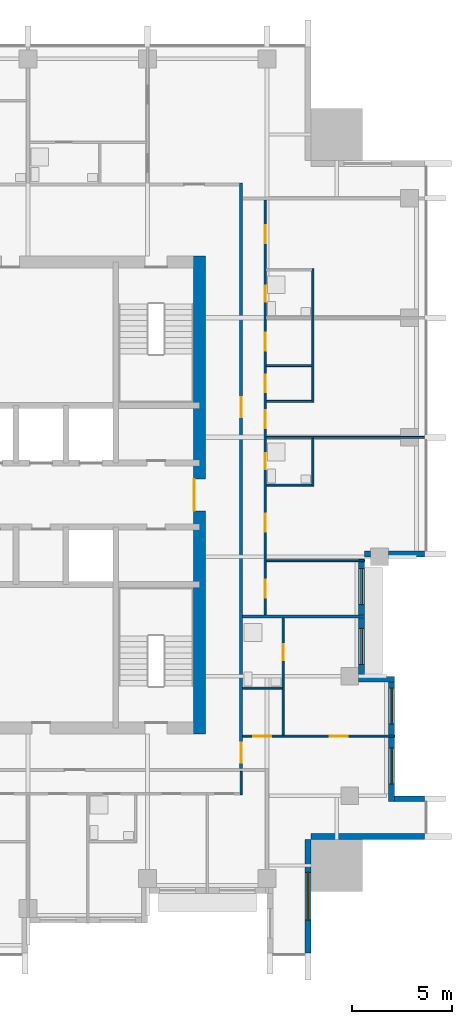
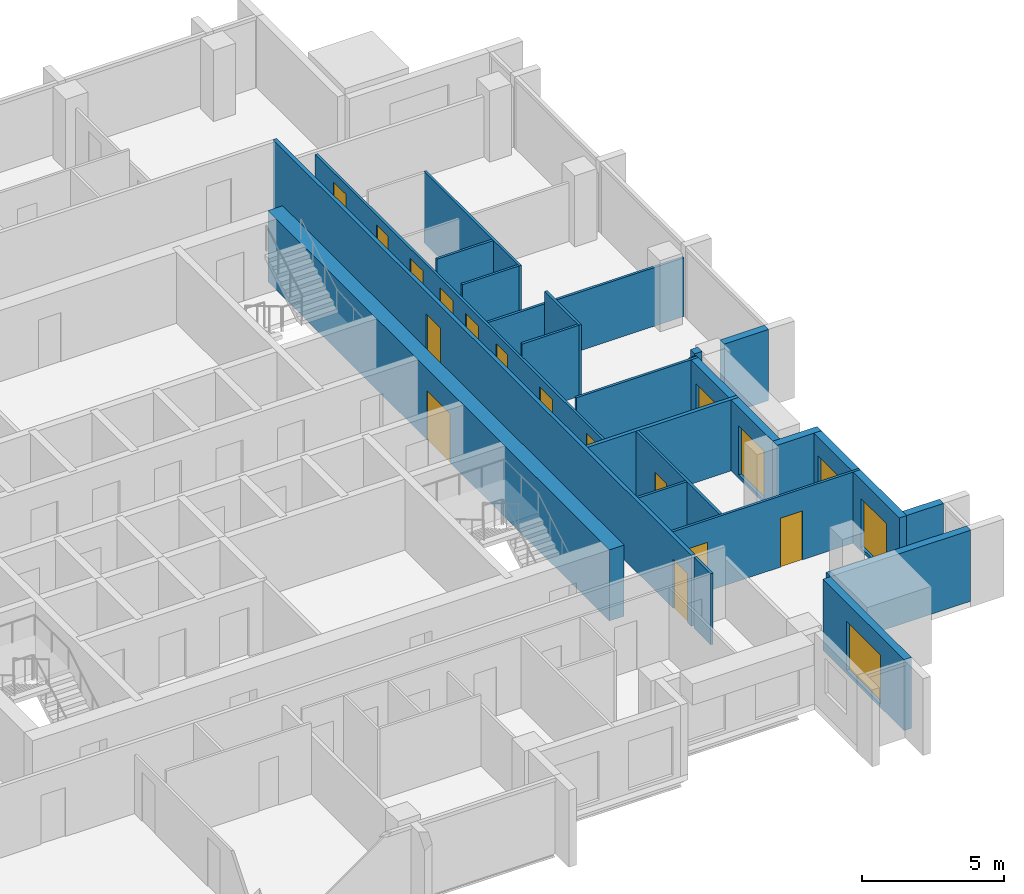
# One storey, part 6 of 10: 23 walls, 14 doors, 5 windows, 19 openings.
"""IFC4 building model written with IfcOpenShell, lengths in metres."""

from ifc_helpers import new_model, si_unit, direction, frame, frame_2d, origin, place, context, subcontext, project, spatial, rectangle, extrude, material, layer, layer_set, type_object, element, fill, save


model = new_model("IFC4")

# Units and contexts
model_context = context("Model", 3, precision=1e-05, world=origin(), true_north=direction((0.0, 1.0)))
body_context = subcontext(model_context, "Body", "Model", "MODEL_VIEW")
ifc_project = project(units=[si_unit("LENGTHUNIT", "METRE"), si_unit("AREAUNIT", "SQUARE_METRE"), si_unit("VOLUMEUNIT", "CUBIC_METRE"), si_unit("PLANEANGLEUNIT", "RADIAN"), si_unit("MASSUNIT", "GRAM", prefix="KILO")], contexts=[model_context])

# Site, building, storey
site_placement = place(None, origin())
site = spatial("IfcSite", under=ifc_project, at=site_placement, CompositionType="ELEMENT")
building_placement = place(site_placement, origin())
building = spatial("IfcBuilding", under=site, at=building_placement, Name="Amberfall Residences", CompositionType="ELEMENT")
storey_placement = place(building_placement, frame((0.0, 0.0, 200.199951171875)))
storey = spatial("IfcBuildingStorey", under=building, at=storey_placement, Name="L53", CompositionType="ELEMENT", Elevation=200.199951171875)

# Wall, opening, window
ifc_material_1 = material(Name="Pale stone cladding on insulated backing", Category="masonry")
ifc_layer_1 = layer(ifc_material_1, 0.300048828125)
ifc_layer_set_1 = layer_set([ifc_layer_1], Name="Bronze clad wall 300")
wall_type_1 = type_object("IfcWallType", Name="Bronze clad wall 300", PredefinedType="SOLIDWALL", material=ifc_layer_set_1)
wall_1_placement = place(storey_placement, frame((91.64990234375, 22.5, 0.0), z_axis=(0.0, 0.0, 1.0), x_axis=(0.0, 1.0, 0.0)))
wall_1 = element("IfcWall", 1, at=wall_1_placement, inside=storey, type_object=wall_type_1, Name="External wall L53 SE", PredefinedType="SOLIDWALL", context=body_context, shape_type="SweptSolid", body=[
    extrude(rectangle(XDim=5.699951171875, YDim=0.300048828125, at=frame_2d((2.85009765625, 0.0))), origin(), (0.0, 0.0, 1.0), 3.050048828125),
])
opening_1_placement = place(wall_1_placement, frame((1.64990234375, 0.0, 0.14990234375)))
opening_1 = element("IfcOpeningElement", 2, at=opening_1_placement, cuts=wall_1, Name="Opening WN5", PredefinedType="OPENING", context=body_context, shape_type="SweptSolid", body=[
    extrude(rectangle(XDim=2.39990234375, YDim=2.10009765625, at=frame_2d((1.199951171875, 1.050048828125))), frame((0.0, 0.159912109375, 0.0), z_axis=(0.0, -1.0, 0.0), x_axis=(1.0, 0.0, 0.0)), (0.0, 0.0, 1.0), 0.320068359375),
])
ifc_material_2 = material(Name="Bronze aluminium framed glazing", Category="aluminium")
window_type_1 = type_object("IfcWindowType", Name="Glazed opening 2400 x 2100 bronze", PartitioningType="DOUBLE_PANEL_VERTICAL", PredefinedType="WINDOW", material=ifc_material_2)
window_1_placement = place(opening_1_placement, origin())
window_1 = element("IfcWindow", 3, at=window_1_placement, inside=storey, type_object=window_type_1, Name="Window L53 SE", OverallHeight=2.10009765625, OverallWidth=2.39990234375, PartitioningType="DOUBLE_PANEL_VERTICAL", PredefinedType="WINDOW", context=body_context, shape_type="SweptSolid", body=[
    extrude(rectangle(XDim=2.39990234375, YDim=2.10009765625, at=frame_2d((1.199951171875, 1.050048828125))), frame((0.0, 0.030029296875, 0.0), z_axis=(0.0, -1.0, 0.0), x_axis=(1.0, 0.0, 0.0)), (0.0, 0.0, 1.0), 0.06005859375),
])
fill(opening_1, window_1)

# Walls
wall_2_placement = place(storey_placement, frame((91.800048828125, 28.35009765625, 0.0), z_axis=(0.0, 0.0, 1.0), x_axis=(1.0, 0.0, 0.0)))
element("IfcWall", 4, at=wall_2_placement, inside=storey, type_object=wall_type_1, Name="External wall L53 SE", PredefinedType="SOLIDWALL", context=body_context, shape_type="SweptSolid", body=[
    extrude(rectangle(XDim=5.699951171875, YDim=0.300048828125, at=frame_2d((2.85009765625, 0.0))), origin(), (0.0, 0.0, 1.0), 3.050048828125),
])
wall_3_placement = place(storey_placement, frame((97.5, 30.25, 0.0), z_axis=(0.0, 0.0, 1.0), x_axis=(-1.0, 0.0, 0.0)))
element("IfcWall", 5, at=wall_3_placement, inside=storey, type_object=wall_type_1, Name="External wall L53 E", PredefinedType="SOLIDWALL", context=body_context, shape_type="SweptSolid", body=[
    extrude(rectangle(XDim=1.5, YDim=0.300048828125, at=frame_2d((0.75, 0.0))), origin(), (0.0, 0.0, 1.0), 3.050048828125),
])
wall_4_placement = place(storey_placement, frame((96.0, 36.25, 0.0), z_axis=(0.0, 0.0, 1.0), x_axis=(-1.0, 0.0, 0.0)))
element("IfcWall", 6, at=wall_4_placement, inside=storey, type_object=wall_type_1, Name="External wall L53 E", PredefinedType="SOLIDWALL", context=body_context, shape_type="SweptSolid", body=[
    extrude(rectangle(XDim=1.800048828125, YDim=0.300048828125, at=frame_2d((0.89990234375, 0.0))), origin(), (0.0, 0.0, 1.0), 3.050048828125),
])
wall_5_placement = place(storey_placement, frame((94.5, 42.550048828125, 0.0), z_axis=(0.0, 0.0, 1.0), x_axis=(1.0, 0.0, 0.0)))
element("IfcWall", 7, at=wall_5_placement, inside=storey, type_object=wall_type_1, Name="External wall L53 E", PredefinedType="SOLIDWALL", context=body_context, shape_type="SweptSolid", body=[
    extrude(rectangle(XDim=0.300048828125, YDim=0.300048828125, at=frame_2d((0.14990234375, 0.0))), origin(), (0.0, 0.0, 1.0), 3.050048828125),
])
wall_6_placement = place(storey_placement, frame((95.699951171875, 42.550048828125, 0.0), z_axis=(0.0, 0.0, 1.0), x_axis=(1.0, 0.0, 0.0)))
element("IfcWall", 8, at=wall_6_placement, inside=storey, type_object=wall_type_1, Name="External wall L53 E", PredefinedType="SOLIDWALL", context=body_context, shape_type="SweptSolid", body=[
    extrude(rectangle(XDim=1.800048828125, YDim=0.300048828125, at=frame_2d((0.89990234375, 0.0))), origin(), (0.0, 0.0, 1.0), 3.050048828125),
])

# Wall, openings, windows
wall_7_placement = place(storey_placement, frame((95.85009765625, 30.10009765625, 0.0), z_axis=(0.0, 0.0, 1.0), x_axis=(0.0, 1.0, 0.0)))
wall_7 = element("IfcWall", 9, at=wall_7_placement, inside=storey, type_object=wall_type_1, Name="Stone wall L53 E", PredefinedType="SOLIDWALL", context=body_context, shape_type="SweptSolid", body=[
    extrude(rectangle(XDim=6.0, YDim=0.300048828125, at=frame_2d((3.0, 0.0))), origin(), (0.0, 0.0, 1.0), 3.050048828125),
])
opening_2_placement = place(wall_7_placement, frame((0.89990234375, 0.0, 0.14990234375)))
opening_2 = element("IfcOpeningElement", 10, at=opening_2_placement, cuts=wall_7, Name="Opening WN6", PredefinedType="OPENING", context=body_context, shape_type="SweptSolid", body=[
    extrude(rectangle(XDim=1.800048828125, YDim=2.10009765625, at=frame_2d((0.89990234375, 1.050048828125))), frame((0.0, 0.159912109375, 0.0), z_axis=(0.0, -1.0, 0.0), x_axis=(1.0, 0.0, 0.0)), (0.0, 0.0, 1.0), 0.320068359375),
])
opening_3_placement = place(wall_7_placement, frame((3.89990234375, 0.0, 0.14990234375)))
opening_3 = element("IfcOpeningElement", 11, at=opening_3_placement, cuts=wall_7, Name="Opening WN6", PredefinedType="OPENING", context=body_context, shape_type="SweptSolid", body=[
    extrude(rectangle(XDim=1.800048828125, YDim=2.10009765625, at=frame_2d((0.89990234375, 1.050048828125))), frame((0.0, 0.159912109375, 0.0), z_axis=(0.0, -1.0, 0.0), x_axis=(1.0, 0.0, 0.0)), (0.0, 0.0, 1.0), 0.320068359375),
])
window_type_2 = type_object("IfcWindowType", Name="Glazed opening 1800 x 2100 bronze", PartitioningType="DOUBLE_PANEL_VERTICAL", PredefinedType="WINDOW", material=ifc_material_2)
window_2_placement = place(opening_2_placement, origin())
window_2 = element("IfcWindow", 12, at=window_2_placement, inside=storey, type_object=window_type_2, Name="Window L53 E", OverallHeight=2.10009765625, OverallWidth=1.800048828125, PartitioningType="DOUBLE_PANEL_VERTICAL", PredefinedType="WINDOW", context=body_context, shape_type="SweptSolid", body=[
    extrude(rectangle(XDim=1.800048828125, YDim=2.10009765625, at=frame_2d((0.89990234375, 1.050048828125))), frame((0.0, 0.030029296875, 0.0), z_axis=(0.0, -1.0, 0.0), x_axis=(1.0, 0.0, 0.0)), (0.0, 0.0, 1.0), 0.06005859375),
])
fill(opening_2, window_2)
window_3_placement = place(opening_3_placement, origin())
window_3 = element("IfcWindow", 13, at=window_3_placement, inside=storey, type_object=window_type_2, Name="Window L53 E", OverallHeight=2.10009765625, OverallWidth=1.800048828125, PartitioningType="DOUBLE_PANEL_VERTICAL", PredefinedType="WINDOW", context=body_context, shape_type="SweptSolid", body=[
    extrude(rectangle(XDim=1.800048828125, YDim=2.10009765625, at=frame_2d((0.89990234375, 1.050048828125))), frame((0.0, 0.030029296875, 0.0), z_axis=(0.0, -1.0, 0.0), x_axis=(1.0, 0.0, 0.0)), (0.0, 0.0, 1.0), 0.06005859375),
])
fill(opening_3, window_3)

wall_8_placement = place(storey_placement, frame((94.35009765625, 36.39990234375, 0.0), z_axis=(0.0, 0.0, 1.0), x_axis=(0.0, 1.0, 0.0)))
wall_8 = element("IfcWall", 14, at=wall_8_placement, inside=storey, type_object=wall_type_1, Name="Stone wall L53 E", PredefinedType="SOLIDWALL", context=body_context, shape_type="SweptSolid", body=[
    extrude(rectangle(XDim=5.900146484375, YDim=0.300048828125, at=frame_2d((2.9501953125, 0.0))), origin(), (0.0, 0.0, 1.0), 3.050048828125),
])
opening_4_placement = place(wall_8_placement, frame((0.60009765625, 0.0, 0.14990234375)))
opening_4 = element("IfcOpeningElement", 15, at=opening_4_placement, cuts=wall_8, Name="Opening WN6", PredefinedType="OPENING", context=body_context, shape_type="SweptSolid", body=[
    extrude(rectangle(XDim=1.800048828125, YDim=2.10009765625, at=frame_2d((0.89990234375, 1.050048828125))), frame((0.0, 0.159912109375, 0.0), z_axis=(0.0, -1.0, 0.0), x_axis=(1.0, 0.0, 0.0)), (0.0, 0.0, 1.0), 0.320068359375),
])
opening_5_placement = place(wall_8_placement, frame((3.60009765625, 0.0, 0.14990234375)))
opening_5 = element("IfcOpeningElement", 16, at=opening_5_placement, cuts=wall_8, Name="Opening WN6", PredefinedType="OPENING", context=body_context, shape_type="SweptSolid", body=[
    extrude(rectangle(XDim=1.800048828125, YDim=2.10009765625, at=frame_2d((0.89990234375, 1.050048828125))), frame((0.0, 0.159912109375, 0.0), z_axis=(0.0, -1.0, 0.0), x_axis=(1.0, 0.0, 0.0)), (0.0, 0.0, 1.0), 0.320068359375),
])
window_4_placement = place(opening_4_placement, origin())
window_4 = element("IfcWindow", 17, at=window_4_placement, inside=storey, type_object=window_type_2, Name="Window L53 E", OverallHeight=2.10009765625, OverallWidth=1.800048828125, PartitioningType="DOUBLE_PANEL_VERTICAL", PredefinedType="WINDOW", context=body_context, shape_type="SweptSolid", body=[
    extrude(rectangle(XDim=1.800048828125, YDim=2.10009765625, at=frame_2d((0.89990234375, 1.050048828125))), frame((0.0, 0.030029296875, 0.0), z_axis=(0.0, -1.0, 0.0), x_axis=(1.0, 0.0, 0.0)), (0.0, 0.0, 1.0), 0.06005859375),
])
fill(opening_4, window_4)
window_5_placement = place(opening_5_placement, origin())
window_5 = element("IfcWindow", 18, at=window_5_placement, inside=storey, type_object=window_type_2, Name="Window L53 E", OverallHeight=2.10009765625, OverallWidth=1.800048828125, PartitioningType="DOUBLE_PANEL_VERTICAL", PredefinedType="WINDOW", context=body_context, shape_type="SweptSolid", body=[
    extrude(rectangle(XDim=1.800048828125, YDim=2.10009765625, at=frame_2d((0.89990234375, 1.050048828125))), frame((0.0, 0.030029296875, 0.0), z_axis=(0.0, -1.0, 0.0), x_axis=(1.0, 0.0, 0.0)), (0.0, 0.0, 1.0), 0.06005859375),
])
fill(opening_5, window_5)

# Wall, opening, door
ifc_material_3 = material(Name="Concrete C55", Category="concrete")
ifc_layer_2 = layer(ifc_material_3, 0.60009765625)
ifc_layer_set_2 = layer_set([ifc_layer_2], Name="Core wall 600 C55")
wall_type_2 = type_object("IfcWallType", Name="Core wall 600 C55", PredefinedType="SHEAR", material=ifc_layer_set_2)
wall_9_placement = place(storey_placement, frame((86.199951171875, 33.5, 0.0), z_axis=(0.0, 0.0, 1.0), x_axis=(0.0, 1.0, 0.0)))
wall_9 = element("IfcWall", 19, at=wall_9_placement, inside=storey, type_object=wall_type_2, Name="Core wall RW7 L53 OE", PredefinedType="SHEAR", context=body_context, shape_type="SweptSolid", body=[
    extrude(rectangle(XDim=24.0, YDim=0.60009765625, at=frame_2d((12.0, 0.0))), origin(), (0.0, 0.0, 1.0), 3.050048828125),
])
opening_6_placement = place(wall_9_placement, frame((11.199951171875, 0.0, 0.0)))
opening_6 = element("IfcOpeningElement", 20, at=opening_6_placement, cuts=wall_9, Name="Opening LB1", PredefinedType="OPENING", context=body_context, shape_type="SweptSolid", body=[
    extrude(rectangle(XDim=1.60009765625, YDim=2.10009765625, at=frame_2d((0.800048828125, 1.050048828125))), frame((0.0, 0.31005859375, 0.0), z_axis=(0.0, -1.0, 0.0), x_axis=(1.0, 0.0, 0.0)), (0.0, 0.0, 1.0), 0.6201171875),
])
ifc_material_4 = material(Name="Steel fire door set", Category="steel")
door_type_1 = type_object("IfcDoorType", Name="Lift lobby double door 1600 x 2100", OperationType="DOUBLE_DOOR_SINGLE_SWING", PredefinedType="DOOR", material=ifc_material_4)
door_1_placement = place(opening_6_placement, origin())
door_1 = element("IfcDoor", 21, at=door_1_placement, inside=storey, type_object=door_type_1, Name="LB1 L53", OperationType="DOUBLE_DOOR_SINGLE_SWING", OverallHeight=2.10009765625, OverallWidth=1.60009765625, PredefinedType="DOOR", context=body_context, shape_type="SweptSolid", body=[
    extrude(rectangle(XDim=1.60009765625, YDim=2.10009765625, at=frame_2d((0.800048828125, 1.050048828125))), frame((0.0, 0.28759765625, 0.0), z_axis=(0.0, -1.0, 0.0), x_axis=(1.0, 0.0, 0.0)), (0.0, 0.0, 1.0), 0.050048828125),
])
fill(opening_6, door_1)

# Wall
ifc_material_5 = material(Name="Gypsum board on metal stud")
ifc_layer_3 = layer(ifc_material_5, 0.10009765625)
ifc_layer_set_3 = layer_set([ifc_layer_3], Name="Flat partition 100")
wall_type_3 = type_object("IfcWallType", Name="Flat partition 100", PredefinedType="PARTITIONING", material=ifc_layer_set_3)
wall_10_placement = place(storey_placement, frame((88.300048828125, 30.449951171875, 0.0), z_axis=(0.0, 0.0, 1.0), x_axis=(0.0, 1.0, 0.0)))
element("IfcWall", 22, at=wall_10_placement, inside=storey, type_object=wall_type_3, Name="Partition 020", PredefinedType="PARTITIONING", context=body_context, shape_type="SweptSolid", body=[
    extrude(rectangle(XDim=1.175048828125, YDim=0.10009765625, at=frame_2d((0.58740234375, 0.0))), origin(), (0.0, 0.0, 1.0), 3.050048828125),
])

# Wall, openings, doors
wall_11_placement = place(storey_placement, frame((89.5, 60.324951171875, 0.0), z_axis=(0.0, 0.0, 1.0), x_axis=(0.0, -1.0, 0.0)))
wall_11 = element("IfcWall", 23, at=wall_11_placement, inside=storey, type_object=wall_type_3, Name="Partition 021", PredefinedType="PARTITIONING", context=body_context, shape_type="SweptSolid", body=[
    extrude(rectangle(XDim=20.849853515625, YDim=0.10009765625, at=frame_2d((10.4248046875, 0.0))), origin(), (0.0, 0.0, 1.0), 2.510009765625),
])
opening_7_placement = place(wall_11_placement, frame((10.574951171875, 0.0, 0.0)))
opening_7 = element("IfcOpeningElement", 24, at=opening_7_placement, cuts=wall_11, Name="Opening D41", PredefinedType="OPENING", context=body_context, shape_type="SweptSolid", body=[
    extrude(rectangle(XDim=0.89990234375, YDim=2.10009765625, at=frame_2d((0.449951171875, 1.050048828125))), frame((0.0, 0.06005859375, 0.0), z_axis=(0.0, -1.0, 0.0), x_axis=(1.0, 0.0, 0.0)), (0.0, 0.0, 1.0), 0.1201171875),
])
opening_8_placement = place(wall_11_placement, frame((6.675048828125, 0.0, 0.0)))
opening_8 = element("IfcOpeningElement", 25, at=opening_8_placement, cuts=wall_11, Name="Opening D41", PredefinedType="OPENING", context=body_context, shape_type="SweptSolid", body=[
    extrude(rectangle(XDim=0.89990234375, YDim=2.10009765625, at=frame_2d((0.449951171875, 1.050048828125))), frame((0.0, 0.06005859375, 0.0), z_axis=(0.0, -1.0, 0.0), x_axis=(1.0, 0.0, 0.0)), (0.0, 0.0, 1.0), 0.1201171875),
])
opening_9_placement = place(wall_11_placement, frame((8.77490234375, 0.0, 0.0)))
opening_9 = element("IfcOpeningElement", 26, at=opening_9_placement, cuts=wall_11, Name="Opening D41", PredefinedType="OPENING", context=body_context, shape_type="SweptSolid", body=[
    extrude(rectangle(XDim=0.89990234375, YDim=2.10009765625, at=frame_2d((0.449951171875, 1.050048828125))), frame((0.0, 0.06005859375, 0.0), z_axis=(0.0, -1.0, 0.0), x_axis=(1.0, 0.0, 0.0)), (0.0, 0.0, 1.0), 0.1201171875),
])
opening_10_placement = place(wall_11_placement, frame((19.074951171875, 0.0, 0.0)))
opening_10 = element("IfcOpeningElement", 27, at=opening_10_placement, cuts=wall_11, Name="Opening D41", PredefinedType="OPENING", context=body_context, shape_type="SweptSolid", body=[
    extrude(rectangle(XDim=0.89990234375, YDim=2.10009765625, at=frame_2d((0.449951171875, 1.050048828125))), frame((0.0, 0.06005859375, 0.0), z_axis=(0.0, -1.0, 0.0), x_axis=(1.0, 0.0, 0.0)), (0.0, 0.0, 1.0), 0.1201171875),
])
opening_11_placement = place(wall_11_placement, frame((15.77490234375, 0.0, 0.0)))
opening_11 = element("IfcOpeningElement", 28, at=opening_11_placement, cuts=wall_11, Name="Opening D41", PredefinedType="OPENING", context=body_context, shape_type="SweptSolid", body=[
    extrude(rectangle(XDim=0.89990234375, YDim=2.10009765625, at=frame_2d((0.449951171875, 1.050048828125))), frame((0.0, 0.06005859375, 0.0), z_axis=(0.0, -1.0, 0.0), x_axis=(1.0, 0.0, 0.0)), (0.0, 0.0, 1.0), 0.1201171875),
])
opening_12_placement = place(wall_11_placement, frame((1.27490234375, 0.0, 0.0)))
opening_12 = element("IfcOpeningElement", 29, at=opening_12_placement, cuts=wall_11, Name="Opening D41", PredefinedType="OPENING", context=body_context, shape_type="SweptSolid", body=[
    extrude(rectangle(XDim=0.89990234375, YDim=2.10009765625, at=frame_2d((0.449951171875, 1.050048828125))), frame((0.0, 0.06005859375, 0.0), z_axis=(0.0, -1.0, 0.0), x_axis=(1.0, 0.0, 0.0)), (0.0, 0.0, 1.0), 0.1201171875),
])
opening_13_placement = place(wall_11_placement, frame((12.72509765625, 0.0, 0.0)))
opening_13 = element("IfcOpeningElement", 30, at=opening_13_placement, cuts=wall_11, Name="Opening D42", PredefinedType="OPENING", context=body_context, shape_type="SweptSolid", body=[
    extrude(rectangle(XDim=0.800048828125, YDim=2.10009765625, at=frame_2d((0.39990234375, 1.050048828125))), frame((0.0, 0.06005859375, 0.0), z_axis=(0.0, -1.0, 0.0), x_axis=(1.0, 0.0, 0.0)), (0.0, 0.0, 1.0), 0.1201171875),
])
opening_14_placement = place(wall_11_placement, frame((4.324951171875, 0.0, 0.0)))
opening_14 = element("IfcOpeningElement", 31, at=opening_14_placement, cuts=wall_11, Name="Opening D42", PredefinedType="OPENING", context=body_context, shape_type="SweptSolid", body=[
    extrude(rectangle(XDim=0.800048828125, YDim=2.10009765625, at=frame_2d((0.39990234375, 1.050048828125))), frame((0.0, 0.06005859375, 0.0), z_axis=(0.0, -1.0, 0.0), x_axis=(1.0, 0.0, 0.0)), (0.0, 0.0, 1.0), 0.1201171875),
])
ifc_material_6 = material(Name="Timber", Category="wood")
door_type_2 = type_object("IfcDoorType", Name="Bathroom door 800 x 2100", OperationType="SINGLE_SWING_LEFT", PredefinedType="DOOR", material=ifc_material_6)
door_2_placement = place(opening_13_placement, origin())
door_2 = element("IfcDoor", 32, at=door_2_placement, inside=storey, type_object=door_type_2, Name="Door 5304 bath1", OperationType="SINGLE_SWING_LEFT", OverallHeight=2.10009765625, OverallWidth=0.800048828125, PredefinedType="DOOR", context=body_context, shape_type="SweptSolid", body=[
    extrude(rectangle(XDim=0.800048828125, YDim=2.10009765625, at=frame_2d((0.39990234375, 1.050048828125))), frame((0.0, 0.02490234375, 0.0), z_axis=(0.0, -1.0, 0.0), x_axis=(1.0, 0.0, 0.0)), (0.0, 0.0, 1.0), 0.050048828125),
])
fill(opening_13, door_2)
door_3_placement = place(opening_14_placement, origin())
door_3 = element("IfcDoor", 33, at=door_3_placement, inside=storey, type_object=door_type_2, Name="Door 5304 bath2", OperationType="SINGLE_SWING_LEFT", OverallHeight=2.10009765625, OverallWidth=0.800048828125, PredefinedType="DOOR", context=body_context, shape_type="SweptSolid", body=[
    extrude(rectangle(XDim=0.800048828125, YDim=2.10009765625, at=frame_2d((0.39990234375, 1.050048828125))), frame((0.0, 0.02490234375, 0.0), z_axis=(0.0, -1.0, 0.0), x_axis=(1.0, 0.0, 0.0)), (0.0, 0.0, 1.0), 0.050048828125),
])
fill(opening_14, door_3)
door_type_3 = type_object("IfcDoorType", Name="Internal door 900 x 2100", OperationType="SINGLE_SWING_LEFT", PredefinedType="DOOR", material=ifc_material_6)
door_4_placement = place(opening_7_placement, origin())
door_4 = element("IfcDoor", 34, at=door_4_placement, inside=storey, type_object=door_type_3, Name="Door 5304 living", OperationType="SINGLE_SWING_LEFT", OverallHeight=2.10009765625, OverallWidth=0.89990234375, PredefinedType="DOOR", context=body_context, shape_type="SweptSolid", body=[
    extrude(rectangle(XDim=0.89990234375, YDim=2.10009765625, at=frame_2d((0.449951171875, 1.050048828125))), frame((0.0, 0.02490234375, 0.0), z_axis=(0.0, -1.0, 0.0), x_axis=(1.0, 0.0, 0.0)), (0.0, 0.0, 1.0), 0.050048828125),
])
fill(opening_7, door_4)
door_5_placement = place(opening_8_placement, origin())
door_5 = element("IfcDoor", 35, at=door_5_placement, inside=storey, type_object=door_type_3, Name="Door 5304 kitchen", OperationType="SINGLE_SWING_LEFT", OverallHeight=2.10009765625, OverallWidth=0.89990234375, PredefinedType="DOOR", context=body_context, shape_type="SweptSolid", body=[
    extrude(rectangle(XDim=0.89990234375, YDim=2.10009765625, at=frame_2d((0.449951171875, 1.050048828125))), frame((0.0, 0.02490234375, 0.0), z_axis=(0.0, -1.0, 0.0), x_axis=(1.0, 0.0, 0.0)), (0.0, 0.0, 1.0), 0.050048828125),
])
fill(opening_8, door_5)
door_6_placement = place(opening_9_placement, origin())
door_6 = element("IfcDoor", 36, at=door_6_placement, inside=storey, type_object=door_type_3, Name="Door 5304 utility", OperationType="SINGLE_SWING_LEFT", OverallHeight=2.10009765625, OverallWidth=0.89990234375, PredefinedType="DOOR", context=body_context, shape_type="SweptSolid", body=[
    extrude(rectangle(XDim=0.89990234375, YDim=2.10009765625, at=frame_2d((0.449951171875, 1.050048828125))), frame((0.0, 0.02490234375, 0.0), z_axis=(0.0, -1.0, 0.0), x_axis=(1.0, 0.0, 0.0)), (0.0, 0.0, 1.0), 0.050048828125),
])
fill(opening_9, door_6)
door_7_placement = place(opening_10_placement, origin())
door_7 = element("IfcDoor", 37, at=door_7_placement, inside=storey, type_object=door_type_3, Name="Door 5304 bedroom1", OperationType="SINGLE_SWING_LEFT", OverallHeight=2.10009765625, OverallWidth=0.89990234375, PredefinedType="DOOR", context=body_context, shape_type="SweptSolid", body=[
    extrude(rectangle(XDim=0.89990234375, YDim=2.10009765625, at=frame_2d((0.449951171875, 1.050048828125))), frame((0.0, 0.02490234375, 0.0), z_axis=(0.0, -1.0, 0.0), x_axis=(1.0, 0.0, 0.0)), (0.0, 0.0, 1.0), 0.050048828125),
])
fill(opening_10, door_7)
door_8_placement = place(opening_11_placement, origin())
door_8 = element("IfcDoor", 38, at=door_8_placement, inside=storey, type_object=door_type_3, Name="Door 5304 bedroom2", OperationType="SINGLE_SWING_LEFT", OverallHeight=2.10009765625, OverallWidth=0.89990234375, PredefinedType="DOOR", context=body_context, shape_type="SweptSolid", body=[
    extrude(rectangle(XDim=0.89990234375, YDim=2.10009765625, at=frame_2d((0.449951171875, 1.050048828125))), frame((0.0, 0.02490234375, 0.0), z_axis=(0.0, -1.0, 0.0), x_axis=(1.0, 0.0, 0.0)), (0.0, 0.0, 1.0), 0.050048828125),
])
fill(opening_11, door_8)
door_9_placement = place(opening_12_placement, origin())
door_9 = element("IfcDoor", 39, at=door_9_placement, inside=storey, type_object=door_type_3, Name="Door 5304 bedroom3", OperationType="SINGLE_SWING_LEFT", OverallHeight=2.10009765625, OverallWidth=0.89990234375, PredefinedType="DOOR", context=body_context, shape_type="SweptSolid", body=[
    extrude(rectangle(XDim=0.89990234375, YDim=2.10009765625, at=frame_2d((0.449951171875, 1.050048828125))), frame((0.0, 0.02490234375, 0.0), z_axis=(0.0, -1.0, 0.0), x_axis=(1.0, 0.0, 0.0)), (0.0, 0.0, 1.0), 0.050048828125),
])
fill(opening_12, door_9)

# Wall, opening, door
wall_12_placement = place(storey_placement, frame((90.39990234375, 33.449951171875, 0.0), z_axis=(0.0, 0.0, 1.0), x_axis=(0.0, 1.0, 0.0)))
wall_12 = element("IfcWall", 40, at=wall_12_placement, inside=storey, type_object=wall_type_3, Name="Partition 022", PredefinedType="PARTITIONING", context=body_context, shape_type="SweptSolid", body=[
    extrude(rectangle(XDim=5.875, YDim=0.10009765625, at=frame_2d((2.9375, 0.0))), origin(), (0.0, 0.0, 1.0), 3.050048828125),
])
opening_15_placement = place(wall_12_placement, frame((3.75, 0.0, 0.0)))
opening_15 = element("IfcOpeningElement", 41, at=opening_15_placement, cuts=wall_12, Name="Opening D42", PredefinedType="OPENING", context=body_context, shape_type="SweptSolid", body=[
    extrude(rectangle(XDim=0.800048828125, YDim=2.10009765625, at=frame_2d((0.39990234375, 1.050048828125))), frame((0.0, 0.06005859375, 0.0), z_axis=(0.0, -1.0, 0.0), x_axis=(1.0, 0.0, 0.0)), (0.0, 0.0, 1.0), 0.1201171875),
])
door_10_placement = place(opening_15_placement, origin())
door_10 = element("IfcDoor", 42, at=door_10_placement, inside=storey, type_object=door_type_2, Name="Door 5303 bath1", OperationType="SINGLE_SWING_LEFT", OverallHeight=2.10009765625, OverallWidth=0.800048828125, PredefinedType="DOOR", context=body_context, shape_type="SweptSolid", body=[
    extrude(rectangle(XDim=0.800048828125, YDim=2.10009765625, at=frame_2d((0.39990234375, 1.050048828125))), frame((0.0, 0.02490234375, 0.0), z_axis=(0.0, -1.0, 0.0), x_axis=(1.0, 0.0, 0.0)), (0.0, 0.0, 1.0), 0.050048828125),
])
fill(opening_15, door_10)

# Walls
wall_13_placement = place(storey_placement, frame((91.89990234375, 45.949951171875, 0.0), z_axis=(0.0, 0.0, 1.0), x_axis=(0.0, 1.0, 0.0)))
element("IfcWall", 43, at=wall_13_placement, inside=storey, type_object=wall_type_3, Name="Partition 023", PredefinedType="PARTITIONING", context=body_context, shape_type="SweptSolid", body=[
    extrude(rectangle(XDim=2.400146484375, YDim=0.10009765625, at=frame_2d((1.2001953125, 0.0))), origin(), (0.0, 0.0, 1.0), 3.050048828125),
])
wall_14_placement = place(storey_placement, frame((91.89990234375, 50.14990234375, 0.0), z_axis=(0.0, 0.0, 1.0), x_axis=(0.0, 1.0, 0.0)))
element("IfcWall", 44, at=wall_14_placement, inside=storey, type_object=wall_type_3, Name="Partition 024", PredefinedType="PARTITIONING", context=body_context, shape_type="SweptSolid", body=[
    extrude(rectangle(XDim=6.7001953125, YDim=0.10009765625, at=frame_2d((3.35009765625, 0.0))), origin(), (0.0, 0.0, 1.0), 3.050048828125),
])
for number, where, z_axis, x_axis, name in (
    (45, (89.550048828125, 52.0, 0.0), (0.0, 0.0, 1.0), (1.0, 0.0, 0.0), "Partition 033"),
    (46, (89.550048828125, 50.199951171875, 0.0), (0.0, 0.0, 1.0), (1.0, 0.0, 0.0), "Partition 034"),
):
    element("IfcWall", number, at=place(storey_placement, frame(where, z_axis=z_axis, x_axis=x_axis)), inside=storey, type_object=wall_type_3, Name=name, PredefinedType="PARTITIONING", context=body_context, shape_type="SweptSolid", body=[
        extrude(rectangle(XDim=2.300048828125, YDim=0.10009765625, at=frame_2d((1.14990234375, 0.0))), origin(), (0.0, 0.0, 1.0), 3.050048828125),
    ])
wall_15_placement = place(storey_placement, frame((89.550048828125, 48.39990234375, 0.0), z_axis=(0.0, 0.0, 1.0), x_axis=(1.0, 0.0, 0.0)))
element("IfcWall", 47, at=wall_15_placement, inside=storey, type_object=wall_type_3, Name="Partition 035", PredefinedType="PARTITIONING", context=body_context, shape_type="SweptSolid", body=[
    extrude(rectangle(XDim=7.949951171875, YDim=0.10009765625, at=frame_2d((3.97509765625, 0.0))), origin(), (0.0, 0.0, 1.0), 2.51611328125),
])
wall_16_placement = place(storey_placement, frame((89.550048828125, 46.0, 0.0), z_axis=(0.0, 0.0, 1.0), x_axis=(1.0, 0.0, 0.0)))
element("IfcWall", 48, at=wall_16_placement, inside=storey, type_object=wall_type_3, Name="Partition 036", PredefinedType="PARTITIONING", context=body_context, shape_type="SweptSolid", body=[
    extrude(rectangle(XDim=2.300048828125, YDim=0.10009765625, at=frame_2d((1.14990234375, 0.0))), origin(), (0.0, 0.0, 1.0), 3.050048828125),
])
wall_17_placement = place(storey_placement, frame((89.550048828125, 42.199951171875, 0.0), z_axis=(0.0, 0.0, 1.0), x_axis=(1.0, 0.0, 0.0)))
element("IfcWall", 49, at=wall_17_placement, inside=storey, type_object=wall_type_3, Name="Partition 039", PredefinedType="PARTITIONING", context=body_context, shape_type="SweptSolid", body=[
    extrude(rectangle(XDim=4.949951171875, YDim=0.10009765625, at=frame_2d((2.47509765625, 0.0))), origin(), (0.0, 0.0, 1.0), 3.050048828125),
])
wall_18_placement = place(storey_placement, frame((88.375, 35.800048828125, 0.0), z_axis=(0.0, 0.0, 1.0), x_axis=(1.0, 0.0, 0.0)))
element("IfcWall", 50, at=wall_18_placement, inside=storey, type_object=wall_type_3, Name="Partition 042", PredefinedType="PARTITIONING", context=body_context, shape_type="SweptSolid", body=[
    extrude(rectangle(XDim=1.97509765625, YDim=0.10009765625, at=frame_2d((0.987548828125, 0.0))), origin(), (0.0, 0.0, 1.0), 3.050048828125),
])

# Wall, openings, doors
wall_19_placement = place(storey_placement, frame((88.375, 33.39990234375, 0.0), z_axis=(0.0, 0.0, 1.0), x_axis=(1.0, 0.0, 0.0)))
wall_19 = element("IfcWall", 51, at=wall_19_placement, inside=storey, type_object=wall_type_3, Name="Partition 043", PredefinedType="PARTITIONING", context=body_context, shape_type="SweptSolid", body=[
    extrude(rectangle(XDim=7.625, YDim=0.10009765625, at=frame_2d((3.8125, 0.0))), origin(), (0.0, 0.0, 1.0), 3.050048828125),
])
opening_16_placement = place(wall_19_placement, frame((0.52490234375, 0.0, 0.0)))
opening_16 = element("IfcOpeningElement", 52, at=opening_16_placement, cuts=wall_19, Name="Opening D41", PredefinedType="OPENING", context=body_context, shape_type="SweptSolid", body=[
    extrude(rectangle(XDim=0.89990234375, YDim=2.10009765625, at=frame_2d((0.449951171875, 1.050048828125))), frame((0.0, 0.06005859375, 0.0), z_axis=(0.0, -1.0, 0.0), x_axis=(1.0, 0.0, 0.0)), (0.0, 0.0, 1.0), 0.1201171875),
])
opening_17_placement = place(wall_19_placement, frame((4.375, 0.0, 0.0)))
opening_17 = element("IfcOpeningElement", 53, at=opening_17_placement, cuts=wall_19, Name="Opening D41", PredefinedType="OPENING", context=body_context, shape_type="SweptSolid", body=[
    extrude(rectangle(XDim=0.89990234375, YDim=2.10009765625, at=frame_2d((0.449951171875, 1.050048828125))), frame((0.0, 0.06005859375, 0.0), z_axis=(0.0, -1.0, 0.0), x_axis=(1.0, 0.0, 0.0)), (0.0, 0.0, 1.0), 0.1201171875),
])
door_11_placement = place(opening_16_placement, origin())
door_11 = element("IfcDoor", 54, at=door_11_placement, inside=storey, type_object=door_type_3, Name="Door 5303 kitchen", OperationType="SINGLE_SWING_LEFT", OverallHeight=2.10009765625, OverallWidth=0.89990234375, PredefinedType="DOOR", context=body_context, shape_type="SweptSolid", body=[
    extrude(rectangle(XDim=0.89990234375, YDim=2.10009765625, at=frame_2d((0.449951171875, 1.050048828125))), frame((0.0, 0.02490234375, 0.0), z_axis=(0.0, -1.0, 0.0), x_axis=(1.0, 0.0, 0.0)), (0.0, 0.0, 1.0), 0.050048828125),
])
fill(opening_16, door_11)
door_12_placement = place(opening_17_placement, origin())
door_12 = element("IfcDoor", 55, at=door_12_placement, inside=storey, type_object=door_type_3, Name="Door 5303 bedroom1", OperationType="SINGLE_SWING_LEFT", OverallHeight=2.10009765625, OverallWidth=0.89990234375, PredefinedType="DOOR", context=body_context, shape_type="SweptSolid", body=[
    extrude(rectangle(XDim=0.89990234375, YDim=2.10009765625, at=frame_2d((0.449951171875, 1.050048828125))), frame((0.0, 0.02490234375, 0.0), z_axis=(0.0, -1.0, 0.0), x_axis=(1.0, 0.0, 0.0)), (0.0, 0.0, 1.0), 0.050048828125),
])
fill(opening_17, door_12)

ifc_material_7 = material(Name="Blockwork, plastered", Category="masonry")
ifc_layer_4 = layer(ifc_material_7, 0.14990234375)
ifc_layer_set_4 = layer_set([ifc_layer_4], Name="Flat separating wall 150")
wall_type_4 = type_object("IfcWallType", Name="Flat separating wall 150", PredefinedType="PARTITIONING", material=ifc_layer_set_4)
wall_20_placement = place(storey_placement, frame((88.300048828125, 61.175048828125, 0.0), z_axis=(0.0, 0.0, 1.0), x_axis=(0.0, -1.0, 0.0)))
wall_20 = element("IfcWall", 56, at=wall_20_placement, inside=storey, type_object=wall_type_4, Name="Separating wall 053", PredefinedType="PARTITIONING", context=body_context, shape_type="SweptSolid", body=[
    extrude(rectangle(XDim=29.400146484375, YDim=0.14990234375, at=frame_2d((14.7001953125, 0.0))), origin(), (0.0, 0.0, 1.0), 3.050048828125),
])
opening_18_placement = place(wall_20_placement, frame((28.125, 0.0, 0.0)))
opening_18 = element("IfcOpeningElement", 57, at=opening_18_placement, cuts=wall_20, Name="Opening D40", PredefinedType="OPENING", context=body_context, shape_type="SweptSolid", body=[
    extrude(rectangle(XDim=1.0, YDim=2.10009765625, at=frame_2d((0.5, 1.050048828125))), frame((0.0, 0.0849609375, 0.0), z_axis=(0.0, -1.0, 0.0), x_axis=(1.0, 0.0, 0.0)), (0.0, 0.0, 1.0), 0.169921875),
])
opening_19_placement = place(wall_20_placement, frame((10.77490234375, 0.0, 0.0)))
opening_19 = element("IfcOpeningElement", 58, at=opening_19_placement, cuts=wall_20, Name="Opening D40", PredefinedType="OPENING", context=body_context, shape_type="SweptSolid", body=[
    extrude(rectangle(XDim=1.0, YDim=2.10009765625, at=frame_2d((0.5, 1.050048828125))), frame((0.0, 0.0849609375, 0.0), z_axis=(0.0, -1.0, 0.0), x_axis=(1.0, 0.0, 0.0)), (0.0, 0.0, 1.0), 0.169921875),
])
ifc_material_8 = material(Name="Timber, fire-rated", Category="wood")
door_type_4 = type_object("IfcDoorType", Name="Flat entrance door FD60 1000 x 2100", OperationType="SINGLE_SWING_LEFT", PredefinedType="DOOR", material=ifc_material_8)
door_13_placement = place(opening_18_placement, origin())
door_13 = element("IfcDoor", 59, at=door_13_placement, inside=storey, type_object=door_type_4, Name="Door 5303 entrance", OperationType="SINGLE_SWING_LEFT", OverallHeight=2.10009765625, OverallWidth=1.0, PredefinedType="DOOR", context=body_context, shape_type="SweptSolid", body=[
    extrude(rectangle(XDim=1.0, YDim=2.10009765625, at=frame_2d((0.5, 1.050048828125))), frame((0.0, 0.02490234375, 0.0), z_axis=(0.0, -1.0, 0.0), x_axis=(1.0, 0.0, 0.0)), (0.0, 0.0, 1.0), 0.050048828125),
])
fill(opening_18, door_13)
door_14_placement = place(opening_19_placement, origin())
door_14 = element("IfcDoor", 60, at=door_14_placement, inside=storey, type_object=door_type_4, Name="Door 5304 entrance", OperationType="SINGLE_SWING_LEFT", OverallHeight=2.10009765625, OverallWidth=1.0, PredefinedType="DOOR", context=body_context, shape_type="SweptSolid", body=[
    extrude(rectangle(XDim=1.0, YDim=2.10009765625, at=frame_2d((0.5, 1.050048828125))), frame((0.0, 0.02490234375, 0.0), z_axis=(0.0, -1.0, 0.0), x_axis=(1.0, 0.0, 0.0)), (0.0, 0.0, 1.0), 0.050048828125),
])
fill(opening_19, door_14)

# Wall
wall_21_placement = place(storey_placement, frame((88.375, 39.39990234375, 0.0), z_axis=(0.0, 0.0, 1.0), x_axis=(1.0, 0.0, 0.0)))
element("IfcWall", 61, at=wall_21_placement, inside=storey, type_object=wall_type_4, Name="Separating wall 058", PredefinedType="PARTITIONING", context=body_context, shape_type="SweptSolid", body=[
    extrude(rectangle(XDim=6.125, YDim=0.14990234375, at=frame_2d((3.0625, 0.0))), origin(), (0.0, 0.0, 1.0), 3.050048828125),
])

save(model, "model.ifc")
